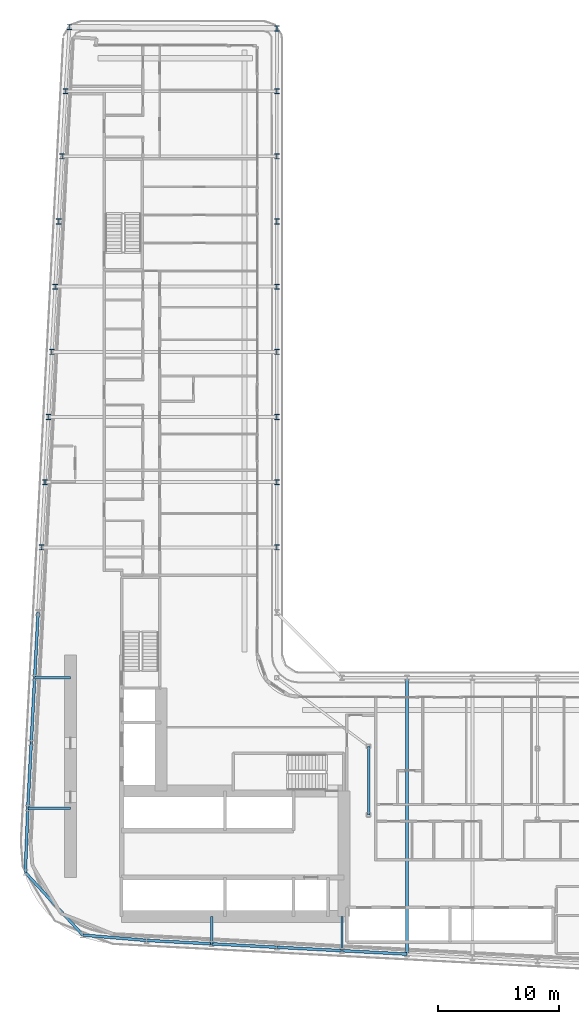
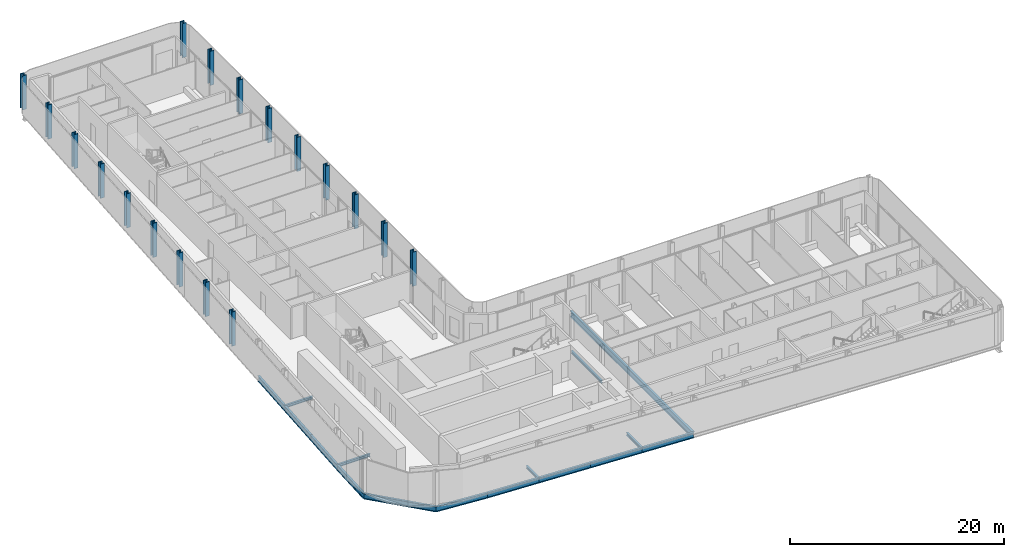
# One storey, part 3 of 24: 18 columns, 16 beams.
"""IFC4 building model written with IfcOpenShell, lengths in metres."""

from ifc_helpers import new_model, si_unit, direction, frame, origin, origin_2d, place, context, subcontext, project, spatial, i_section, extrude, material, material_profile, profile_set, type_object, element, save


model = new_model("IFC4")

# Units and contexts
model_context = context("Model", 3, precision=1e-05, world=origin(), true_north=direction((0.0, 1.0)))
body_context = subcontext(model_context, "Body", "Model", "MODEL_VIEW")
ifc_project = project(units=[si_unit("LENGTHUNIT", "METRE"), si_unit("AREAUNIT", "SQUARE_METRE"), si_unit("VOLUMEUNIT", "CUBIC_METRE"), si_unit("PLANEANGLEUNIT", "RADIAN"), si_unit("MASSUNIT", "GRAM", prefix="KILO")], contexts=[model_context])

# Site, building, storey
site_placement = place(None, origin())
site = spatial("IfcSite", under=ifc_project, at=site_placement, CompositionType="ELEMENT")
building_placement = place(site_placement, origin())
building = spatial("IfcBuilding", under=site, at=building_placement, Name="Kheshtan School and Residences Tower", CompositionType="ELEMENT")
storey_placement = place(building_placement, frame((0.0, 0.0, 38.300048828125)))
storey = spatial("IfcBuildingStorey", under=building, at=storey_placement, Name="L08", CompositionType="ELEMENT", Elevation=38.300048828125)

# Columns
ifc_material = material(Name="Steel ASTM A992 Grade 50", Category="steel")
ifc_material_profile_1 = material_profile(ifc_material, i_section(OverallWidth=0.424072265625, OverallDepth=0.47412109375, WebThickness=0.047607421875, FlangeThickness=0.0771484375, FilletRadius=0.01416015625, at=origin_2d()), Name="W360x634")
ifc_profile_set_1 = profile_set([ifc_material_profile_1], Name="Steel ASTM A992 Grade 50")
column_type = type_object("IfcColumnType", Name="Column C1 W360x634 ASTM A992 Grade 50", PredefinedType="COLUMN", material=ifc_profile_set_1)
for number, where, z_axis, x_axis, name in (
    (1, (28.10595703125, 56.39990234375, 0.0), (0.0, 0.0, 1.0), (1.0, 0.0, 0.0), "Column C080"),
    (2, (47.60009765625, 56.39990234375, 0.0), (0.0, 0.0, 1.0), (1.0, 0.0, 0.0), "Column C081"),
    (3, (28.389892578125, 61.800048828125, 0.0), (0.0, 0.0, 1.0), (1.0, 0.0, 0.0), "Column C082"),
    (4, (47.60009765625, 61.800048828125, 0.0), (0.0, 0.0, 1.0), (1.0, 0.0, 0.0), "Column C083"),
    (5, (28.674072265625, 67.199951171875, 0.0), (0.0, 0.0, 1.0), (1.0, 0.0, 0.0), "Column C084"),
    (6, (47.60009765625, 67.199951171875, 0.0), (0.0, 0.0, 1.0), (1.0, 0.0, 0.0), "Column C085"),
    (7, (28.9580078125, 72.60009765625, 0.0), (0.0, 0.0, 1.0), (1.0, 0.0, 0.0), "Column C086"),
    (8, (47.60009765625, 72.60009765625, 0.0), (0.0, 0.0, 1.0), (1.0, 0.0, 0.0), "Column C087"),
    (9, (29.242919921875, 78.0, 0.0), (0.0, 0.0, 1.0), (1.0, 0.0, 0.0), "Column C088"),
    (10, (47.60009765625, 78.0, 0.0), (0.0, 0.0, 1.0), (1.0, 0.0, 0.0), "Column C089"),
    (11, (29.527099609375, 83.39990234375, 0.0), (0.0, 0.0, 1.0), (1.0, 0.0, 0.0), "Column C090"),
    (12, (47.60009765625, 83.39990234375, 0.0), (0.0, 0.0, 1.0), (1.0, 0.0, 0.0), "Column C091"),
    (13, (29.81103515625, 88.800048828125, 0.0), (0.0, 0.0, 1.0), (1.0, 0.0, 0.0), "Column C098"),
    (14, (47.60009765625, 88.800048828125, 0.0), (0.0, 0.0, 1.0), (1.0, 0.0, 0.0), "Column C099"),
    (15, (30.094970703125, 94.199951171875, 0.0), (0.0, 0.0, 1.0), (1.0, 0.0, 0.0), "Column C106"),
    (16, (47.60009765625, 94.199951171875, 0.0), (0.0, 0.0, 1.0), (1.0, 0.0, 0.0), "Column C107"),
    (17, (47.614013671875, 99.39990234375, 0.0), (0.0, 0.0, 1.0), (1.0, 0.0, 0.0), "Column C109"),
    (18, (30.41796875, 99.508056640625, 0.0), (0.0, 0.0, 1.0), (1.0, 0.0, 0.0), "Column C119"),
):
    element("IfcColumn", number, at=place(storey_placement, frame(where, z_axis=z_axis, x_axis=x_axis)), inside=storey, type_object=column_type, Name=name, PredefinedType="COLUMN", context=body_context, shape_type="SweptSolid", body=[
        extrude(i_section(OverallWidth=0.424072265625, OverallDepth=0.47412109375, WebThickness=0.047607421875, FlangeThickness=0.0771484375, FilletRadius=0.01416015625, at=origin_2d()), origin(), (0.0, 0.0, 1.0), 3.89990234375),
    ])

# Beams
ifc_material_profile_2 = material_profile(ifc_material, i_section(OverallWidth=0.202880859375, OverallDepth=0.302978515625, WebThickness=0.007568359375, FlangeThickness=0.01318359375, FilletRadius=0.009033203125, at=origin_2d()), Name="W310x60")
ifc_profile_set_2 = profile_set([ifc_material_profile_2], Name="Steel ASTM A992 Grade 50")
beam_type_1 = type_object("IfcBeamType", Name="Beam FB1 W310x60 ASTM A992 Grade 50", PredefinedType="BEAM", material=ifc_profile_set_2)
beam_1_placement = place(storey_placement, frame((53.0, 22.97998046875, -0.301513671875), z_axis=(0.0, 1.0, 0.0), x_axis=(-1.0, 0.0, 0.0)))
element("IfcBeam", 19, at=beam_1_placement, inside=storey, type_object=beam_type_1, Name="Floor beam C019", PredefinedType="BEAM", context=body_context, shape_type="SweptSolid", body=[
    extrude(i_section(OverallWidth=0.202880859375, OverallDepth=0.302978515625, WebThickness=0.007568359375, FlangeThickness=0.01318359375, FilletRadius=0.009033203125, at=origin_2d()), origin(), (0.0, 0.0, 1.0), 2.820068359375),
])
beam_2_placement = place(storey_placement, frame((42.199951171875, 23.548095703125, -0.301513671875), z_axis=(0.0, 1.0, 0.0), x_axis=(-1.0, 0.0, 0.0)))
element("IfcBeam", 20, at=beam_2_placement, inside=storey, type_object=beam_type_1, Name="Floor beam C021", PredefinedType="BEAM", context=body_context, shape_type="SweptSolid", body=[
    extrude(i_section(OverallWidth=0.202880859375, OverallDepth=0.302978515625, WebThickness=0.007568359375, FlangeThickness=0.01318359375, FilletRadius=0.009033203125, at=origin_2d()), origin(), (0.0, 0.0, 1.0), 2.251953125),
])
beam_3_placement = place(storey_placement, frame((26.968994140625, 34.800048828125, -0.301513671875), z_axis=(1.0, 0.0, 0.0), x_axis=(0.0, 1.0, 0.0)))
element("IfcBeam", 21, at=beam_3_placement, inside=storey, type_object=beam_type_1, Name="Floor beam C052", PredefinedType="BEAM", context=body_context, shape_type="SweptSolid", body=[
    extrude(i_section(OverallWidth=0.202880859375, OverallDepth=0.302978515625, WebThickness=0.007568359375, FlangeThickness=0.01318359375, FilletRadius=0.009033203125, at=origin_2d()), origin(), (0.0, 0.0, 1.0), 3.531005859375),
])
beam_4_placement = place(storey_placement, frame((27.537109375, 45.60009765625, -0.301513671875), z_axis=(1.0, 0.0, 0.0), x_axis=(0.0, 1.0, 0.0)))
element("IfcBeam", 22, at=beam_4_placement, inside=storey, type_object=beam_type_1, Name="Floor beam C059", PredefinedType="BEAM", context=body_context, shape_type="SweptSolid", body=[
    extrude(i_section(OverallWidth=0.202880859375, OverallDepth=0.302978515625, WebThickness=0.007568359375, FlangeThickness=0.01318359375, FilletRadius=0.009033203125, at=origin_2d()), origin(), (0.0, 0.0, 1.0), 2.962890625),
])
beam_5_placement = place(storey_placement, frame((55.199951171875, 34.23193359375, -0.301513671875), z_axis=(0.0, 1.0, 0.0), x_axis=(-1.0, 0.0, 0.0)))
element("IfcBeam", 23, at=beam_5_placement, inside=storey, type_object=beam_type_1, Name="Floor beam IC", PredefinedType="BEAM", context=body_context, shape_type="SweptSolid", body=[
    extrude(i_section(OverallWidth=0.202880859375, OverallDepth=0.302978515625, WebThickness=0.007568359375, FlangeThickness=0.01318359375, FilletRadius=0.009033203125, at=origin_2d()), origin(), (0.0, 0.0, 1.0), 5.68408203125),
])
ifc_material_profile_3 = material_profile(ifc_material, i_section(OverallWidth=0.2529296875, OverallDepth=0.677978515625, WebThickness=0.01171875, FlangeThickness=0.016357421875, FilletRadius=0.0146484375, at=origin_2d()), Name="W690x125")
ifc_profile_set_3 = profile_set([ifc_material_profile_3], Name="Steel ASTM A992 Grade 50")
beam_type_2 = type_object("IfcBeamType", Name="Beam FB6 W690x125 ASTM A992 Grade 50", PredefinedType="BEAM", material=ifc_profile_set_3)
beam_6_placement = place(storey_placement, frame((58.39990234375, 45.60009765625, -0.489013671875), z_axis=(0.0, -1.0, 0.0), x_axis=(1.0, 0.0, 0.0)))
element("IfcBeam", 24, at=beam_6_placement, inside=storey, type_object=beam_type_2, Name="Floor beam C062", PredefinedType="BEAM", context=body_context, shape_type="SweptSolid", body=[
    extrude(i_section(OverallWidth=0.2529296875, OverallDepth=0.677978515625, WebThickness=0.01171875, FlangeThickness=0.016357421875, FilletRadius=0.0146484375, at=origin_2d()), origin(), (0.0, 0.0, 1.0), 22.905029296875),
])
ifc_material_profile_4 = material_profile(ifc_material, i_section(OverallWidth=0.22998046875, OverallDepth=0.616943359375, WebThickness=0.01318359375, FlangeThickness=0.022216796875, FilletRadius=0.0185546875, at=origin_2d()), Name="W610x140")
ifc_profile_set_4 = profile_set([ifc_material_profile_4], Name="Steel ASTM A992 Grade 50")
beam_type_3 = type_object("IfcBeamType", Name="Beam SP1 W610x140 ASTM A992 Grade 50", PredefinedType="BEAM", material=ifc_profile_set_4)
for number, where, z_axis, x_axis, name in (
    (25, (58.39990234375, 22.695068359375, -0.45849609375), (-0.998610961136, 0.052689166816, 0.0), (-0.052689166816, -0.998610961136, 0.0), "Spandrel beam C018-C019"),
    (26, (53.0, 22.97998046875, -0.45849609375), (-0.998620447272, 0.05250906864, 0.0), (-0.05250906864, -0.998620447272, 0.0), "Spandrel beam C019-C020"),
):
    element("IfcBeam", number, at=place(storey_placement, frame(where, z_axis=z_axis, x_axis=x_axis)), inside=storey, type_object=beam_type_3, Name=name, PredefinedType="BEAM", context=body_context, shape_type="SweptSolid", body=[
        extrude(i_section(OverallWidth=0.22998046875, OverallDepth=0.616943359375, WebThickness=0.01318359375, FlangeThickness=0.022216796875, FilletRadius=0.0185546875, at=origin_2d()), origin(), (0.0, 0.0, 1.0), 5.407470703125),
    ])
beam_7_placement = place(storey_placement, frame((47.60009765625, 23.263916015625, -0.45849609375), z_axis=(-0.998618203458, 0.052551724256, 0.0), x_axis=(-0.052551724256, -0.998618203458, 0.0)))
element("IfcBeam", 27, at=beam_7_placement, inside=storey, type_object=beam_type_3, Name="Spandrel beam C020-C021", PredefinedType="BEAM", context=body_context, shape_type="SweptSolid", body=[
    extrude(i_section(OverallWidth=0.22998046875, OverallDepth=0.616943359375, WebThickness=0.01318359375, FlangeThickness=0.022216796875, FilletRadius=0.0185546875, at=origin_2d()), origin(), (0.0, 0.0, 1.0), 5.40771484375),
])
beam_8_placement = place(storey_placement, frame((42.199951171875, 23.548095703125, -0.45849609375), z_axis=(-0.998620447272, 0.05250906864, 0.0), x_axis=(-0.05250906864, -0.998620447272, 0.0)))
element("IfcBeam", 28, at=beam_8_placement, inside=storey, type_object=beam_type_3, Name="Spandrel beam C021-C022", PredefinedType="BEAM", context=body_context, shape_type="SweptSolid", body=[
    extrude(i_section(OverallWidth=0.22998046875, OverallDepth=0.616943359375, WebThickness=0.01318359375, FlangeThickness=0.022216796875, FilletRadius=0.0185546875, at=origin_2d()), origin(), (0.0, 0.0, 1.0), 5.407470703125),
])
beam_9_placement = place(storey_placement, frame((36.800048828125, 23.83203125, -0.45849609375), z_axis=(-0.996498230975, 0.083613848512, 0.0), x_axis=(-0.083613848512, -0.996498230975, 0.0)))
element("IfcBeam", 29, at=beam_9_placement, inside=storey, type_object=beam_type_3, Name="Spandrel beam C022-C028", PredefinedType="BEAM", context=body_context, shape_type="SweptSolid", body=[
    extrude(i_section(OverallWidth=0.22998046875, OverallDepth=0.616943359375, WebThickness=0.01318359375, FlangeThickness=0.022216796875, FilletRadius=0.0185546875, at=origin_2d()), origin(), (0.0, 0.0, 1.0), 5.296630859375),
])
beam_10_placement = place(storey_placement, frame((31.52197265625, 24.27490234375, -0.45849609375), z_axis=(-0.675974218658, 0.736925271456, 0.0), x_axis=(-0.736925271456, -0.675974218658, 0.0)))
element("IfcBeam", 30, at=beam_10_placement, inside=storey, type_object=beam_type_3, Name="Spandrel beam C028-C041", PredefinedType="BEAM", context=body_context, shape_type="SweptSolid", body=[
    extrude(i_section(OverallWidth=0.22998046875, OverallDepth=0.616943359375, WebThickness=0.01318359375, FlangeThickness=0.022216796875, FilletRadius=0.0185546875, at=origin_2d()), origin(), (0.0, 0.0, 1.0), 7.041748046875),
])
beam_11_placement = place(storey_placement, frame((26.761962890625, 29.464111328125, -0.45849609375), z_axis=(0.038770243067, 0.999248151488, 0.0), x_axis=(-0.999248151488, 0.038770243067, 0.0)))
element("IfcBeam", 31, at=beam_11_placement, inside=storey, type_object=beam_type_3, Name="Spandrel beam C041-C052", PredefinedType="BEAM", context=body_context, shape_type="SweptSolid", body=[
    extrude(i_section(OverallWidth=0.22998046875, OverallDepth=0.616943359375, WebThickness=0.01318359375, FlangeThickness=0.022216796875, FilletRadius=0.0185546875, at=origin_2d()), origin(), (0.0, 0.0, 1.0), 5.33984375),
])
beam_12_placement = place(storey_placement, frame((26.968994140625, 34.800048828125, -0.45849609375), z_axis=(0.05250906864, 0.998620447272, 0.0), x_axis=(-0.998620447272, 0.05250906864, 0.0)))
element("IfcBeam", 32, at=beam_12_placement, inside=storey, type_object=beam_type_3, Name="Spandrel beam C052-C056", PredefinedType="BEAM", context=body_context, shape_type="SweptSolid", body=[
    extrude(i_section(OverallWidth=0.22998046875, OverallDepth=0.616943359375, WebThickness=0.01318359375, FlangeThickness=0.022216796875, FilletRadius=0.0185546875, at=origin_2d()), origin(), (0.0, 0.0, 1.0), 5.407470703125),
])
beam_13_placement = place(storey_placement, frame((27.2529296875, 40.199951171875, -0.45849609375), z_axis=(0.052551724256, 0.998618203458, 0.0), x_axis=(-0.998618203458, 0.052551724256, 0.0)))
element("IfcBeam", 33, at=beam_13_placement, inside=storey, type_object=beam_type_3, Name="Spandrel beam C056-C059", PredefinedType="BEAM", context=body_context, shape_type="SweptSolid", body=[
    extrude(i_section(OverallWidth=0.22998046875, OverallDepth=0.616943359375, WebThickness=0.01318359375, FlangeThickness=0.022216796875, FilletRadius=0.0185546875, at=origin_2d()), origin(), (0.0, 0.0, 1.0), 5.40771484375),
])
beam_14_placement = place(storey_placement, frame((27.537109375, 45.60009765625, -0.45849609375), z_axis=(0.052689166816, 0.998610961136, 0.0), x_axis=(-0.998610961136, 0.052689166816, 0.0)))
element("IfcBeam", 34, at=beam_14_placement, inside=storey, type_object=beam_type_3, Name="Spandrel beam C059-C078", PredefinedType="BEAM", context=body_context, shape_type="SweptSolid", body=[
    extrude(i_section(OverallWidth=0.22998046875, OverallDepth=0.616943359375, WebThickness=0.01318359375, FlangeThickness=0.022216796875, FilletRadius=0.0185546875, at=origin_2d()), origin(), (0.0, 0.0, 1.0), 5.407470703125),
])

save(model, "model.ifc")
